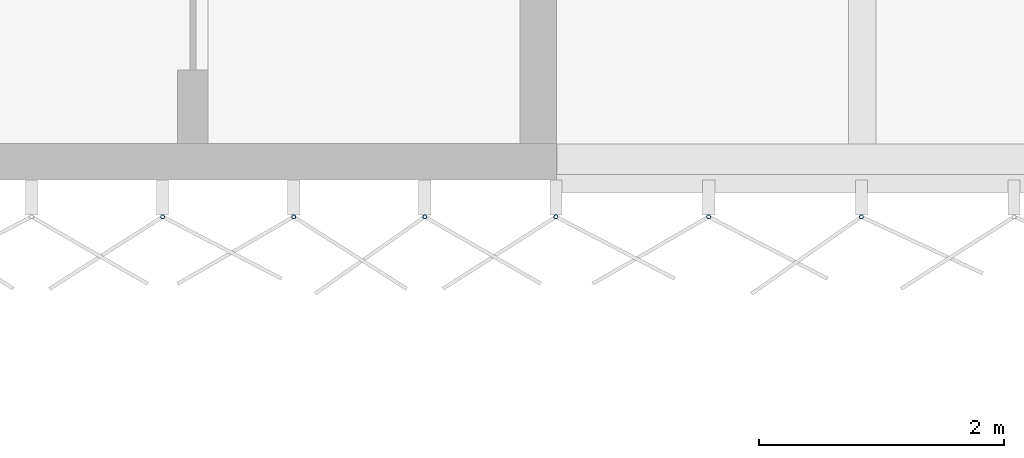
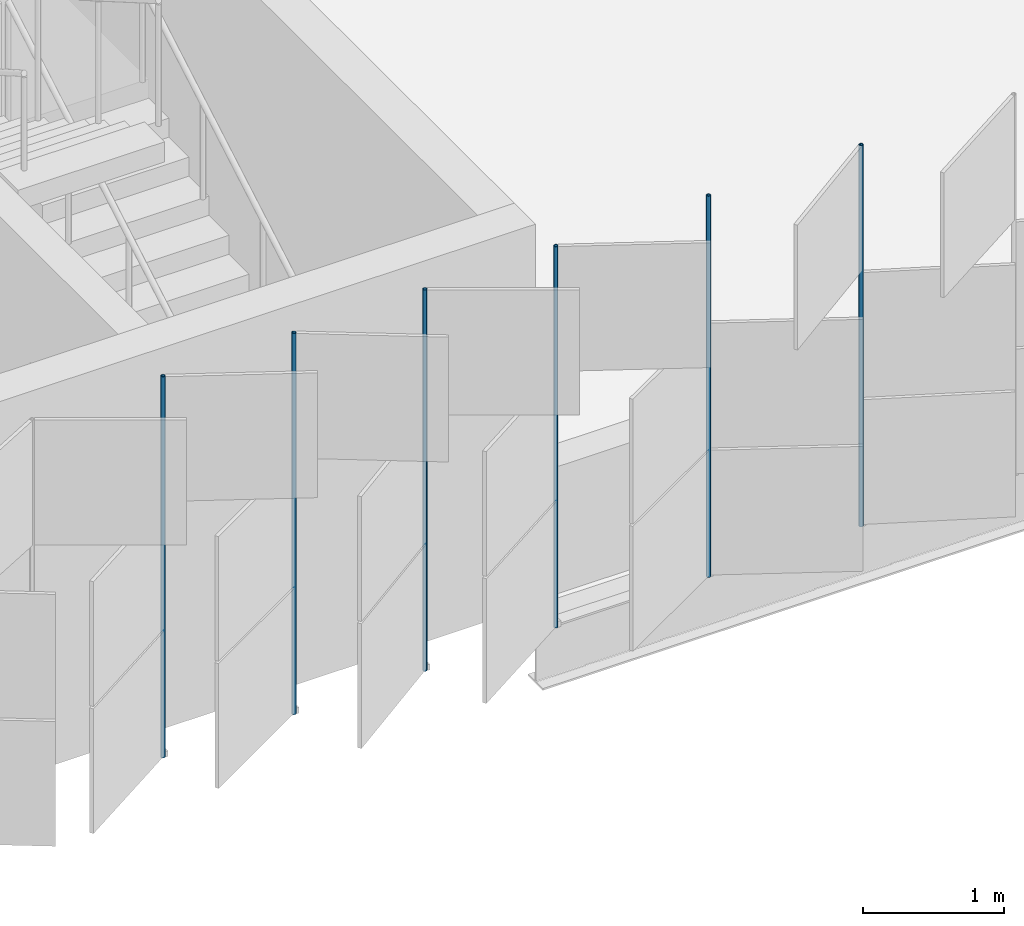
# One storey, part 75 of 198: 6 discrete accessories.
"""IFC4 building model written with IfcOpenShell, lengths in metres."""

from ifc_helpers import new_model, si_unit, direction, frame, origin, origin_2d, place, context, subcontext, project, spatial, hollow_circle, extrude, material, material_profile, profile_set, type_object, element, save


model = new_model("IFC4")

# Units and contexts
model_context = context("Model", 3, precision=1e-05, world=origin(), true_north=direction((0.0, 1.0)))
body_context = subcontext(model_context, "Body", "Model", "MODEL_VIEW")
ifc_project = project(units=[si_unit("LENGTHUNIT", "METRE"), si_unit("AREAUNIT", "SQUARE_METRE"), si_unit("VOLUMEUNIT", "CUBIC_METRE"), si_unit("PLANEANGLEUNIT", "RADIAN"), si_unit("MASSUNIT", "GRAM", prefix="KILO")], contexts=[model_context])

# Site, building, storey
site_placement = place(None, origin())
site = spatial("IfcSite", under=ifc_project, at=site_placement, CompositionType="ELEMENT")
building_placement = place(site_placement, origin())
building = spatial("IfcBuilding", under=site, at=building_placement, Name="Parallax Yard Mobility Hub", CompositionType="ELEMENT")
storey_placement = place(building_placement, frame((0.0, 0.0, 6.60009765625)))
storey = spatial("IfcBuildingStorey", under=building, at=storey_placement, Name="L02", CompositionType="ELEMENT", Elevation=6.60009765625)

# Discrete accessories
ifc_material = material(Name="Steel ASTM A500 Gr C, hot-dip galvanised", Category="steel")
ifc_material_profile = material_profile(ifc_material, hollow_circle(Radius=0.016845703125, WallThickness=0.003173828125, at=origin_2d()), Name="CHS 33.7x3.2")
ifc_profile_set = profile_set([ifc_material_profile], Name="Steel ASTM A500 Gr C, hot-dip galvanised")
discrete_accessory_type = type_object("IfcDiscreteAccessoryType", Name="Hinge post CHS 33.7x3.2", PredefinedType="BRACKET", material=ifc_profile_set)
for number, where, z_axis, x_axis, name in (
    (1, (79.277099609375, 112.199951171875, 0.0), (0.0, 0.0, 1.0), (1.0, 0.0, 0.0), "Hinge post bay 6.12 level L02"),
    (2, (80.349365234375, 112.199951171875, 0.0), (0.0, 0.0, 1.0), (1.0, 0.0, 0.0), "Hinge post bay 6.13 level L02"),
    (3, (81.421630859375, 112.199951171875, 0.0), (0.0, 0.0, 1.0), (1.0, 0.0, 0.0), "Hinge post bay 6.14 level L02"),
    (4, (82.493896484375, 112.199951171875, 0.0), (0.0, 0.0, 1.0), (1.0, 0.0, 0.0), "Hinge post bay 7.1 level L02"),
    (5, (83.7431640625, 112.199951171875, 0.0), (0.0, 0.0, 1.0), (1.0, 0.0, 0.0), "Hinge post bay 7.2 level L02"),
    (6, (84.992431640625, 112.199951171875, 0.0), (0.0, 0.0, 1.0), (1.0, 0.0, 0.0), "Hinge post bay 7.3 level L02"),
):
    element("IfcDiscreteAccessory", number, at=place(storey_placement, frame(where, z_axis=z_axis, x_axis=x_axis)), inside=storey, type_object=discrete_accessory_type, Name=name, PredefinedType="BRACKET", context=body_context, shape_type="SweptSolid", body=[
        extrude(hollow_circle(Radius=0.016845703125, WallThickness=0.003173828125, at=origin_2d()), origin(), (0.0, 0.0, 1.0), 3.2998046875),
    ])

save(model, "model.ifc")
